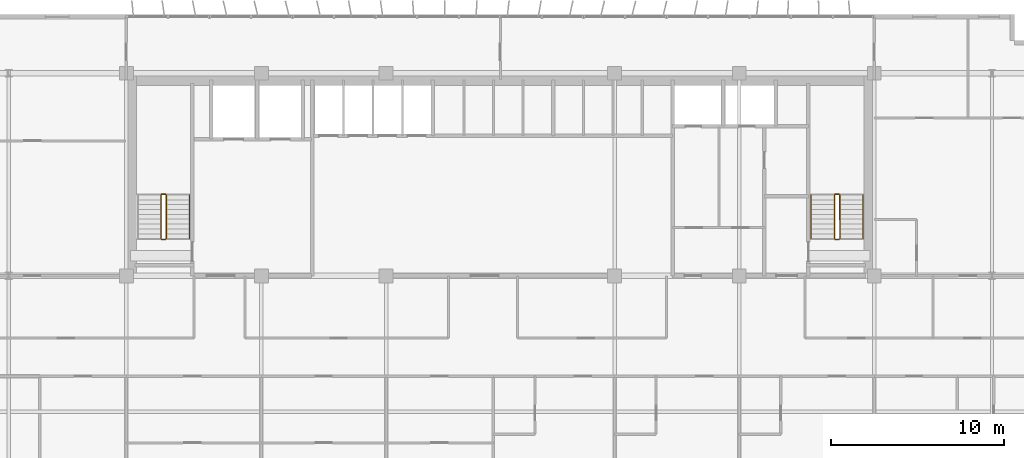
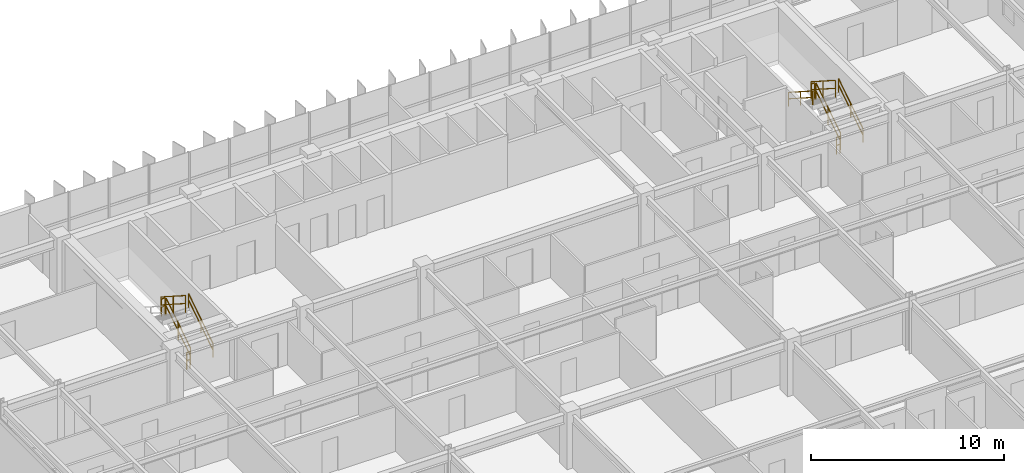
# One storey, part 21 of 22: 11 railings.
"""IFC4 building model written with IfcOpenShell, lengths in metres."""

from ifc_helpers import new_model, si_unit, direction, frame, origin, origin_2d, place, context, subcontext, project, spatial, rectangle, extrude, material, type_object, element, save


model = new_model("IFC4")

# Units and contexts
model_context = context("Model", 3, precision=1e-05, world=origin(), true_north=direction((0.0, 1.0)))
body_context = subcontext(model_context, "Body", "Model", "MODEL_VIEW")
ifc_project = project(units=[si_unit("LENGTHUNIT", "METRE"), si_unit("AREAUNIT", "SQUARE_METRE"), si_unit("VOLUMEUNIT", "CUBIC_METRE"), si_unit("PLANEANGLEUNIT", "RADIAN"), si_unit("MASSUNIT", "GRAM", prefix="KILO")], contexts=[model_context])

# Site, building, storey
site_placement = place(None, origin())
site = spatial("IfcSite", under=ifc_project, at=site_placement, CompositionType="ELEMENT")
building_placement = place(site_placement, origin())
building = spatial("IfcBuilding", under=site, at=building_placement, Name="Trelvane Seafront Commons", CompositionType="ELEMENT")
storey_placement = place(building_placement, frame((0.0, 0.0, 85.300048828125)))
storey = spatial("IfcBuildingStorey", under=building, at=storey_placement, Name="L21", CompositionType="ELEMENT", Elevation=85.300048828125)

# Railings
ifc_material = material(Name="Stainless steel balustrade", Category="steel")
railing_type_1 = type_object("IfcRailingType", Name="ARCH-SRL-GUARD", PredefinedType="GUARDRAIL", material=ifc_material)
railing_1_placement = place(storey_placement, frame((17.89990234375, 35.550048828125, 0.179931640625)))
element("IfcRailing", 1, at=railing_1_placement, inside=storey, type_object=railing_type_1, Name="L21 ST-1 stair guard 1", PredefinedType="GUARDRAIL", context=body_context, shape_type="SweptSolid", body=[
    extrude(rectangle(XDim=0.048095703125, YDim=0.048095703125, at=origin_2d()), frame((0.0, 0.0, 1.076171875), z_axis=(0.0, 0.841162588446, 0.540782303519), x_axis=(-1.0, 0.0, 0.0)), (0.0, 0.0, 1.0), 2.995849609375),
    extrude(rectangle(XDim=0.048095703125, YDim=0.048095703125, at=origin_2d()), frame((0.0, 0.0, 0.572021484375), z_axis=(0.0, 0.841162588446, 0.540782303519), x_axis=(-1.0, 0.0, 0.0)), (0.0, 0.0, 1.0), 2.995849609375),
    extrude(rectangle(XDim=0.0419921875, YDim=0.0419921875, at=origin_2d()), origin(), (0.0, 0.0, 1.0), 1.076171875),
    extrude(rectangle(XDim=0.0419921875, YDim=0.0419921875, at=origin_2d()), frame((0.0, 1.260009765625, 0.81005859375)), (0.0, 0.0, 1.0), 1.076171875),
    extrude(rectangle(XDim=0.0419921875, YDim=0.0419921875, at=origin_2d()), frame((0.0, 2.52001953125, 1.6201171875)), (0.0, 0.0, 1.0), 1.076171875),
])
railing_2_placement = place(storey_placement, frame((17.85009765625, 38.1201171875, 1.800048828125)))
element("IfcRailing", 2, at=railing_2_placement, inside=storey, type_object=railing_type_1, Name="L21 ST-1 stair guard 2", PredefinedType="GUARDRAIL", context=body_context, shape_type="SweptSolid", body=[
    extrude(rectangle(XDim=0.048095703125, YDim=0.048095703125, at=origin_2d()), frame((0.0, 0.0, 1.076171875), z_axis=(-1.0, 0.0, 0.0), x_axis=(0.0, -1.0, 0.0)), (0.0, 0.0, 1.0), 0.2001953125),
    extrude(rectangle(XDim=0.048095703125, YDim=0.048095703125, at=origin_2d()), frame((0.0, 0.0, 0.572021484375), z_axis=(-1.0, 0.0, 0.0), x_axis=(0.0, -1.0, 0.0)), (0.0, 0.0, 1.0), 0.2001953125),
    extrude(rectangle(XDim=0.0419921875, YDim=0.0419921875, at=origin_2d()), origin(), (0.0, 0.0, 1.0), 1.076171875),
    extrude(rectangle(XDim=0.0419921875, YDim=0.0419921875, at=origin_2d()), frame((-0.2001953125, 0.0, 0.0)), (0.0, 0.0, 1.0), 1.076171875),
])
railing_3_placement = place(storey_placement, frame((17.60009765625, 38.070068359375, 1.97998046875)))
element("IfcRailing", 3, at=railing_3_placement, inside=storey, type_object=railing_type_1, Name="L21 ST-1 stair guard 3", PredefinedType="GUARDRAIL", context=body_context, shape_type="SweptSolid", body=[
    extrude(rectangle(XDim=0.048095703125, YDim=0.048095703125, at=origin_2d()), frame((0.0, 0.0, 1.076171875), z_axis=(0.0, -0.841199657755, 0.540724639528), x_axis=(1.0, 0.0, 0.0)), (0.0, 0.0, 1.0), 2.995849609375),
    extrude(rectangle(XDim=0.048095703125, YDim=0.048095703125, at=origin_2d()), frame((0.0, 0.0, 0.572021484375), z_axis=(0.0, -0.841199657755, 0.540724639528), x_axis=(1.0, 0.0, 0.0)), (0.0, 0.0, 1.0), 2.995849609375),
    extrude(rectangle(XDim=0.0419921875, YDim=0.0419921875, at=origin_2d()), origin(), (0.0, 0.0, 1.0), 1.076171875),
    extrude(rectangle(XDim=0.0419921875, YDim=0.0419921875, at=origin_2d()), frame((0.0, -1.260009765625, 0.81005859375)), (0.0, 0.0, 1.0), 1.076171875),
    extrude(rectangle(XDim=0.0419921875, YDim=0.0419921875, at=origin_2d()), frame((0.0, -2.52001953125, 1.619873046875)), (0.0, 0.0, 1.0), 1.076171875),
])
railing_4_placement = place(storey_placement, frame((17.85009765625, 35.5, 0.0)))
element("IfcRailing", 4, at=railing_4_placement, inside=storey, type_object=railing_type_1, Name="L21 ST-1 stair guard 4", PredefinedType="GUARDRAIL", context=body_context, shape_type="SweptSolid", body=[
    extrude(rectangle(XDim=0.048095703125, YDim=0.048095703125, at=origin_2d()), frame((0.0, 0.0, 1.076171875), z_axis=(-1.0, 0.0, 0.0), x_axis=(0.0, -1.0, 0.0)), (0.0, 0.0, 1.0), 0.2001953125),
    extrude(rectangle(XDim=0.048095703125, YDim=0.048095703125, at=origin_2d()), frame((0.0, 0.0, 0.572021484375), z_axis=(-1.0, 0.0, 0.0), x_axis=(0.0, -1.0, 0.0)), (0.0, 0.0, 1.0), 0.2001953125),
    extrude(rectangle(XDim=0.0419921875, YDim=0.0419921875, at=origin_2d()), origin(), (0.0, 0.0, 1.0), 1.076171875),
    extrude(rectangle(XDim=0.0419921875, YDim=0.0419921875, at=origin_2d()), frame((-0.2001953125, 0.0, 0.0)), (0.0, 0.0, 1.0), 1.076171875),
])
railing_5_placement = place(storey_placement, frame((56.800048828125, 35.550048828125, 0.179931640625)))
element("IfcRailing", 5, at=railing_5_placement, inside=storey, type_object=railing_type_1, Name="L21 ST-2 stair guard 1", PredefinedType="GUARDRAIL", context=body_context, shape_type="SweptSolid", body=[
    extrude(rectangle(XDim=0.048095703125, YDim=0.048095703125, at=origin_2d()), frame((0.0, 0.0, 1.076171875), z_axis=(0.0, 0.841162588446, 0.540782303519), x_axis=(-1.0, 0.0, 0.0)), (0.0, 0.0, 1.0), 2.995849609375),
    extrude(rectangle(XDim=0.048095703125, YDim=0.048095703125, at=origin_2d()), frame((0.0, 0.0, 0.572021484375), z_axis=(0.0, 0.841162588446, 0.540782303519), x_axis=(-1.0, 0.0, 0.0)), (0.0, 0.0, 1.0), 2.995849609375),
    extrude(rectangle(XDim=0.0419921875, YDim=0.0419921875, at=origin_2d()), origin(), (0.0, 0.0, 1.0), 1.076171875),
    extrude(rectangle(XDim=0.0419921875, YDim=0.0419921875, at=origin_2d()), frame((0.0, 1.260009765625, 0.81005859375)), (0.0, 0.0, 1.0), 1.076171875),
    extrude(rectangle(XDim=0.0419921875, YDim=0.0419921875, at=origin_2d()), frame((0.0, 2.52001953125, 1.6201171875)), (0.0, 0.0, 1.0), 1.076171875),
])
railing_6_placement = place(storey_placement, frame((56.75, 38.1201171875, 1.800048828125)))
element("IfcRailing", 6, at=railing_6_placement, inside=storey, type_object=railing_type_1, Name="L21 ST-2 stair guard 2", PredefinedType="GUARDRAIL", context=body_context, shape_type="SweptSolid", body=[
    extrude(rectangle(XDim=0.048095703125, YDim=0.048095703125, at=origin_2d()), frame((0.0, 0.0, 1.076171875), z_axis=(-1.0, 0.0, 0.0), x_axis=(0.0, -1.0, 0.0)), (0.0, 0.0, 1.0), 0.199951171875),
    extrude(rectangle(XDim=0.048095703125, YDim=0.048095703125, at=origin_2d()), frame((0.0, 0.0, 0.572021484375), z_axis=(-1.0, 0.0, 0.0), x_axis=(0.0, -1.0, 0.0)), (0.0, 0.0, 1.0), 0.199951171875),
    extrude(rectangle(XDim=0.0419921875, YDim=0.0419921875, at=origin_2d()), origin(), (0.0, 0.0, 1.0), 1.076171875),
    extrude(rectangle(XDim=0.0419921875, YDim=0.0419921875, at=origin_2d()), frame((-0.199951171875, 0.0, 0.0)), (0.0, 0.0, 1.0), 1.076171875),
])
railing_7_placement = place(storey_placement, frame((56.5, 38.070068359375, 1.97998046875)))
element("IfcRailing", 7, at=railing_7_placement, inside=storey, type_object=railing_type_1, Name="L21 ST-2 stair guard 3", PredefinedType="GUARDRAIL", context=body_context, shape_type="SweptSolid", body=[
    extrude(rectangle(XDim=0.048095703125, YDim=0.048095703125, at=origin_2d()), frame((0.0, 0.0, 1.076171875), z_axis=(0.0, -0.841199657755, 0.540724639528), x_axis=(1.0, 0.0, 0.0)), (0.0, 0.0, 1.0), 2.995849609375),
    extrude(rectangle(XDim=0.048095703125, YDim=0.048095703125, at=origin_2d()), frame((0.0, 0.0, 0.572021484375), z_axis=(0.0, -0.841199657755, 0.540724639528), x_axis=(1.0, 0.0, 0.0)), (0.0, 0.0, 1.0), 2.995849609375),
    extrude(rectangle(XDim=0.0419921875, YDim=0.0419921875, at=origin_2d()), origin(), (0.0, 0.0, 1.0), 1.076171875),
    extrude(rectangle(XDim=0.0419921875, YDim=0.0419921875, at=origin_2d()), frame((0.0, -1.260009765625, 0.81005859375)), (0.0, 0.0, 1.0), 1.076171875),
    extrude(rectangle(XDim=0.0419921875, YDim=0.0419921875, at=origin_2d()), frame((0.0, -2.52001953125, 1.619873046875)), (0.0, 0.0, 1.0), 1.076171875),
])
railing_8_placement = place(storey_placement, frame((56.75, 35.5, 0.0)))
element("IfcRailing", 8, at=railing_8_placement, inside=storey, type_object=railing_type_1, Name="L21 ST-2 stair guard 4", PredefinedType="GUARDRAIL", context=body_context, shape_type="SweptSolid", body=[
    extrude(rectangle(XDim=0.048095703125, YDim=0.048095703125, at=origin_2d()), frame((0.0, 0.0, 1.076171875), z_axis=(-1.0, 0.0, 0.0), x_axis=(0.0, -1.0, 0.0)), (0.0, 0.0, 1.0), 0.199951171875),
    extrude(rectangle(XDim=0.048095703125, YDim=0.048095703125, at=origin_2d()), frame((0.0, 0.0, 0.572021484375), z_axis=(-1.0, 0.0, 0.0), x_axis=(0.0, -1.0, 0.0)), (0.0, 0.0, 1.0), 0.199951171875),
    extrude(rectangle(XDim=0.0419921875, YDim=0.0419921875, at=origin_2d()), origin(), (0.0, 0.0, 1.0), 1.076171875),
    extrude(rectangle(XDim=0.0419921875, YDim=0.0419921875, at=origin_2d()), frame((-0.199951171875, 0.0, 0.0)), (0.0, 0.0, 1.0), 1.076171875),
])
railing_type_2 = type_object("IfcRailingType", Name="ARCH-SRL-HAND", PredefinedType="HANDRAIL", material=ifc_material)
for number, where, name in (
    (9, (19.25, 35.550048828125, 0.179931640625), "L21 ST-1 stair handrail 1"),
    (10, (58.14990234375, 35.550048828125, 0.179931640625), "L21 ST-2 stair handrail 1"),
):
    element("IfcRailing", number, at=place(storey_placement, frame(where)), inside=storey, type_object=railing_type_2, Name=name, PredefinedType="HANDRAIL", context=body_context, shape_type="SweptSolid", body=[
        extrude(rectangle(XDim=0.048095703125, YDim=0.048095703125, at=origin_2d()), frame((0.0, 0.0, 0.8759765625), z_axis=(0.0, 0.841162588446, 0.540782303519), x_axis=(-1.0, 0.0, 0.0)), (0.0, 0.0, 1.0), 2.995849609375),
        extrude(rectangle(XDim=0.048095703125, YDim=0.048095703125, at=origin_2d()), frame((0.0, 0.0, 0.468017578125), z_axis=(0.0, 0.841162588446, 0.540782303519), x_axis=(-1.0, 0.0, 0.0)), (0.0, 0.0, 1.0), 2.995849609375),
        extrude(rectangle(XDim=0.0419921875, YDim=0.0419921875, at=origin_2d()), origin(), (0.0, 0.0, 1.0), 0.8759765625),
        extrude(rectangle(XDim=0.0419921875, YDim=0.0419921875, at=origin_2d()), frame((0.0, 1.260009765625, 0.81005859375)), (0.0, 0.0, 1.0), 0.8759765625),
        extrude(rectangle(XDim=0.0419921875, YDim=0.0419921875, at=origin_2d()), frame((0.0, 2.52001953125, 1.6201171875)), (0.0, 0.0, 1.0), 0.8759765625),
    ])
railing_9_placement = place(storey_placement, frame((55.14990234375, 38.070068359375, 1.97998046875)))
element("IfcRailing", 11, at=railing_9_placement, inside=storey, type_object=railing_type_2, Name="L21 ST-2 stair handrail 2", PredefinedType="HANDRAIL", context=body_context, shape_type="SweptSolid", body=[
    extrude(rectangle(XDim=0.048095703125, YDim=0.048095703125, at=origin_2d()), frame((0.0, 0.0, 0.8759765625), z_axis=(0.0, -0.841199657755, 0.540724639528), x_axis=(1.0, 0.0, 0.0)), (0.0, 0.0, 1.0), 2.995849609375),
    extrude(rectangle(XDim=0.048095703125, YDim=0.048095703125, at=origin_2d()), frame((0.0, 0.0, 0.468017578125), z_axis=(0.0, -0.841199657755, 0.540724639528), x_axis=(1.0, 0.0, 0.0)), (0.0, 0.0, 1.0), 2.995849609375),
    extrude(rectangle(XDim=0.0419921875, YDim=0.0419921875, at=origin_2d()), origin(), (0.0, 0.0, 1.0), 0.8759765625),
    extrude(rectangle(XDim=0.0419921875, YDim=0.0419921875, at=origin_2d()), frame((0.0, -1.260009765625, 0.81005859375)), (0.0, 0.0, 1.0), 0.8759765625),
    extrude(rectangle(XDim=0.0419921875, YDim=0.0419921875, at=origin_2d()), frame((0.0, -2.52001953125, 1.619873046875)), (0.0, 0.0, 1.0), 0.8759765625),
])

save(model, "model.ifc")
